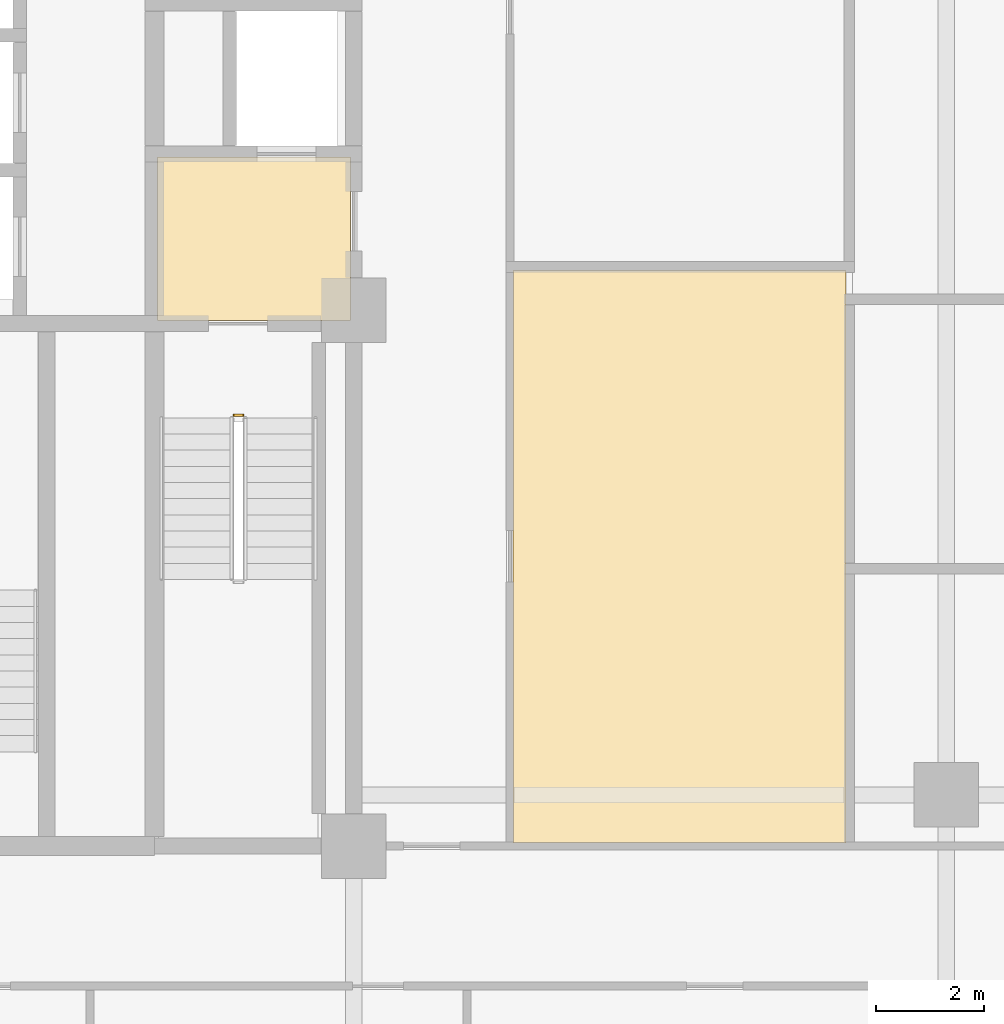
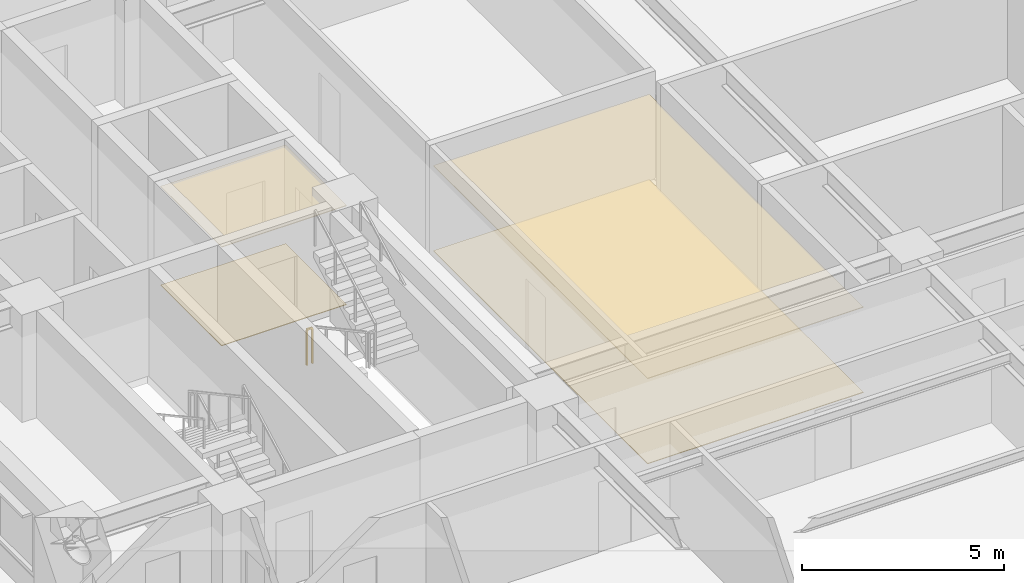
# One storey, part 10 of 14: 4 coverings, 1 railing.
"""IFC4 building model written with IfcOpenShell, lengths in metres."""

from ifc_helpers import new_model, si_unit, direction, frame, origin, origin_2d, place, context, subcontext, project, spatial, polyline, rectangle, outline, extrude, material, layer, layer_set, type_object, element, save


model = new_model("IFC4")

# Units and contexts
model_context = context("Model", 3, precision=1e-05, world=origin(), true_north=direction((0.0, 1.0)))
body_context = subcontext(model_context, "Body", "Model", "MODEL_VIEW")
ifc_project = project(units=[si_unit("LENGTHUNIT", "METRE"), si_unit("AREAUNIT", "SQUARE_METRE"), si_unit("VOLUMEUNIT", "CUBIC_METRE"), si_unit("PLANEANGLEUNIT", "RADIAN"), si_unit("MASSUNIT", "GRAM", prefix="KILO")], contexts=[model_context])

# Site, building, storey
site_placement = place(None, origin())
site = spatial("IfcSite", under=ifc_project, at=site_placement, CompositionType="ELEMENT")
building_placement = place(site_placement, origin())
building = spatial("IfcBuilding", under=site, at=building_placement, Name="Zulmaris Gate Convention Tower", CompositionType="ELEMENT")
storey_placement = place(building_placement, frame((0.0, 0.0, 30.77001953125)))
storey = spatial("IfcBuildingStorey", under=building, at=storey_placement, Name="L06", CompositionType="ELEMENT", Elevation=30.77001953125)

# Coverings
ifc_material_1 = material(Name="Mineral Fibre Acoustic Ceiling Tile")
ifc_layer_1 = layer(ifc_material_1, 0.02001953125, Name="Mineral Fibre Acoustic Ceiling Tile")
ifc_layer_set_1 = layer_set([ifc_layer_1], Name="Mineral Fibre Acoustic Ceiling Tile")
covering_type_1 = type_object("IfcCoveringType", Name="CLG-ACOUSTIC-600", PredefinedType="CEILING", material=ifc_layer_set_1)
covering_1_placement = place(storey_placement, frame((0.0, 0.0, 2.989990234375)))
element("IfcCovering", 1, at=covering_1_placement, inside=storey, type_object=covering_type_1, Name="CLG-L06-R03", PredefinedType="CEILING", context=body_context, shape_type="SweptSolid", body=[
    extrude(outline(polyline([(-14.639892578125, -0.18994140625), (-11.06005859375, -0.18994140625), (-11.06005859375, 2.840087890625), (-14.639892578125, 2.840087890625), (-14.639892578125, -0.18994140625)])), origin(), (0.0, 0.0, 1.0), 0.02001953125),
])
covering_2_placement = place(storey_placement, frame((0.0, 0.0, 2.578125)))
element("IfcCovering", 2, at=covering_2_placement, inside=storey, type_object=covering_type_1, Name="CLG-L06-R43", PredefinedType="CEILING", context=body_context, shape_type="SweptSolid", body=[
    extrude(outline(polyline([(-8.0400390625, -9.889892578125), (-1.860107421875, -9.889892578125), (-1.860107421875, 0.739990234375), (-8.0400390625, 0.739990234375), (-8.0400390625, -9.889892578125)])), origin(), (0.0, 0.0, 1.0), 0.02001953125),
])
ifc_material_2 = material(Name="Woven Acoustic Wool Carpet Tile")
ifc_layer_2 = layer(ifc_material_2, 0.02001953125, Name="Woven Acoustic Wool Carpet Tile")
ifc_layer_set_2 = layer_set([ifc_layer_2], Name="Woven Acoustic Wool Carpet Tile")
covering_type_2 = type_object("IfcCoveringType", Name="FLR-CARPET-12", PredefinedType="FLOORING", material=ifc_layer_set_2)
covering_3_placement = place(storey_placement, origin())
element("IfcCovering", 3, at=covering_3_placement, inside=storey, type_object=covering_type_2, Name="FLR-L06-R03", PredefinedType="FLOORING", context=body_context, shape_type="SweptSolid", body=[
    extrude(outline(polyline([(-14.639892578125, -0.18994140625), (-11.06005859375, -0.18994140625), (-11.06005859375, 2.840087890625), (-14.639892578125, 2.840087890625), (-14.639892578125, -0.18994140625)])), origin(), (0.0, 0.0, 1.0), 0.02001953125),
])
covering_4_placement = place(storey_placement, origin())
element("IfcCovering", 4, at=covering_4_placement, inside=storey, type_object=covering_type_2, Name="FLR-L06-R43", PredefinedType="FLOORING", context=body_context, shape_type="SweptSolid", body=[
    extrude(outline(polyline([(-8.0400390625, -9.889892578125), (-1.860107421875, -9.889892578125), (-1.860107421875, 0.739990234375), (-8.0400390625, 0.739990234375), (-8.0400390625, -9.889892578125)])), origin(), (0.0, 0.0, 1.0), 0.02001953125),
])

# Railing
ifc_material_3 = material(Name="Painted Galvanised Steel", Category="steel")
railing_type = type_object("IfcRailingType", Name="RL-STG-1150", PredefinedType="GUARDRAIL", material=ifc_material_3)
railing_placement = place(storey_placement, frame((-13.219970703125, -1.949951171875, 0.0)))
element("IfcRailing", 5, at=railing_placement, inside=storey, type_object=railing_type, Name="L06 ST-1 stair guard 4", PredefinedType="GUARDRAIL", context=body_context, shape_type="SweptSolid", body=[
    extrude(rectangle(XDim=0.048095703125, YDim=0.048095703125, at=origin_2d()), frame((0.0, 0.0, 1.076171875), z_axis=(1.0, 0.0, 0.0), x_axis=(0.0, 1.0, 0.0)), (0.0, 0.0, 1.0), 0.159912109375),
    extrude(rectangle(XDim=0.0419921875, YDim=0.0419921875, at=origin_2d()), origin(), (0.0, 0.0, 1.0), 1.052001953125),
    extrude(rectangle(XDim=0.0419921875, YDim=0.0419921875, at=origin_2d()), frame((0.159912109375, 0.0, 0.0)), (0.0, 0.0, 1.0), 1.052001953125),
])

save(model, "model.ifc")
